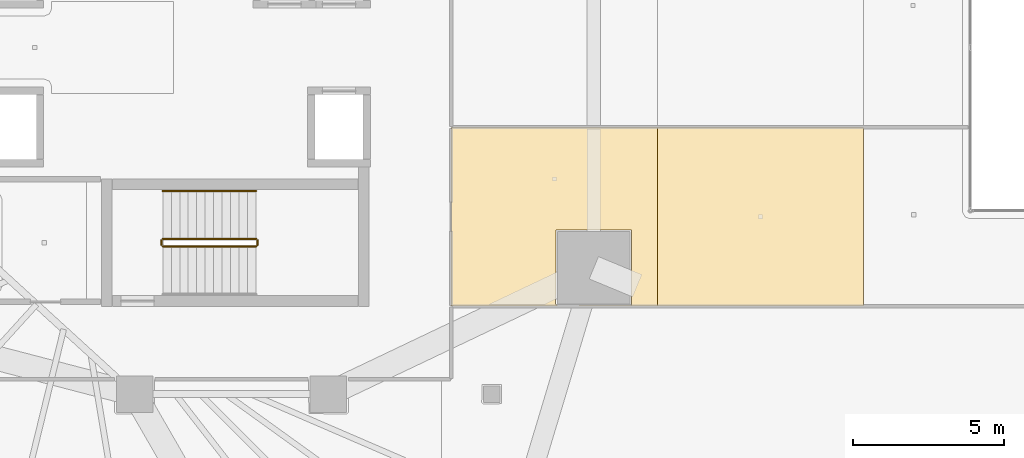
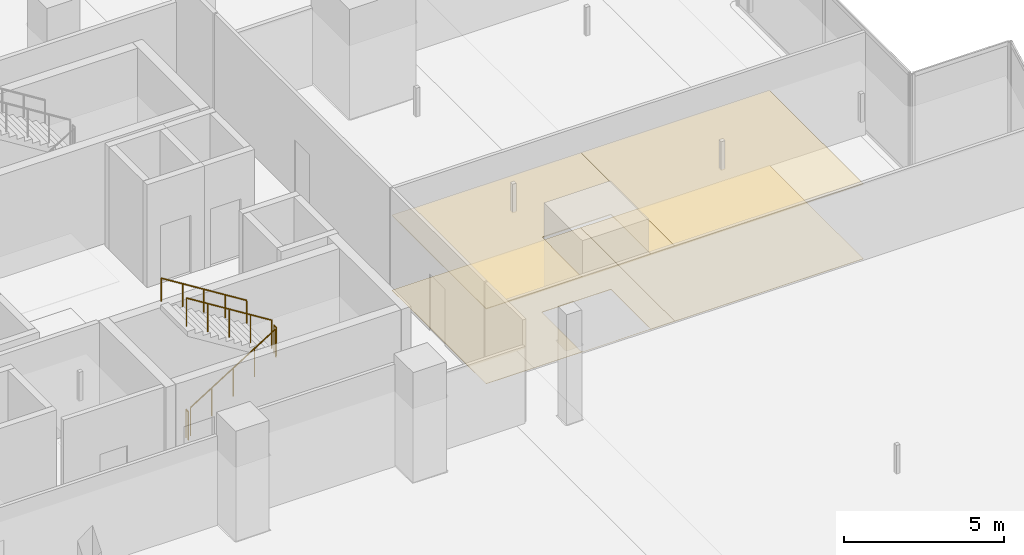
# One storey, part 37 of 42: 5 railings, 4 coverings.
"""IFC4 building model written with IfcOpenShell, lengths in metres."""

from ifc_helpers import new_model, si_unit, direction, frame, origin, origin_2d, place, context, subcontext, project, spatial, polyline, circle, outline, extrude, material, layer, layer_set, type_object, element, save


model = new_model("IFC4")

# Units and contexts
model_context = context("Model", 3, precision=1e-05, world=origin(), true_north=direction((0.0, 1.0)))
body_context = subcontext(model_context, "Body", "Model", "MODEL_VIEW")
ifc_project = project(units=[si_unit("LENGTHUNIT", "METRE"), si_unit("AREAUNIT", "SQUARE_METRE"), si_unit("VOLUMEUNIT", "CUBIC_METRE"), si_unit("PLANEANGLEUNIT", "RADIAN"), si_unit("MASSUNIT", "GRAM", prefix="KILO")], contexts=[model_context])

# Site, building, storey
site_placement = place(None, origin())
site = spatial("IfcSite", under=ifc_project, at=site_placement, CompositionType="ELEMENT")
building_placement = place(site_placement, origin())
building = spatial("IfcBuilding", under=site, at=building_placement, Name="Qorvath Tower", CompositionType="ELEMENT")
storey_placement = place(building_placement, frame((0.0, 0.0, 32.39990234375)))
storey = spatial("IfcBuildingStorey", under=building, at=storey_placement, Name="L06", CompositionType="ELEMENT", Elevation=32.39990234375)

# Coverings
ifc_material_1 = material(Name="Acoustic mineral fibre ceiling tile", Category="gypsum")
ifc_layer_1 = layer(ifc_material_1, 0.030029296875)
ifc_layer_set_1 = layer_set([ifc_layer_1], Name="COV-CEIL")
covering_type_1 = type_object("IfcCoveringType", Name="COV-CEIL", PredefinedType="CEILING", material=ifc_layer_set_1)
covering_1_placement = place(storey_placement, frame((0.0, 0.0, 2.85009765625)))
element("IfcCovering", 1, at=covering_1_placement, inside=storey, type_object=covering_type_1, Name="L06 Suspended Acoustic Ceiling 019", PredefinedType="CEILING", context=body_context, shape_type="SweptSolid", body=[
    extrude(outline(polyline([(-6.329833984375, -8.537109375), (-6.329833984375, -2.64794921875), (-13.136962890625, -2.64794921875), (-13.136962890625, -8.537109375), (-6.329833984375, -8.537109375)]), holes=[polyline([(-9.690185546875, -8.476318359375), (-9.672607421875, -6.033935546875), (-7.18798828125, -6.033935546875), (-7.18798828125, -8.518798828125), (-9.63037109375, -8.536376953125), (-9.690185546875, -8.476318359375)])]), origin(), (0.0, 0.0, 1.0), 0.030029296875),
])
covering_2_placement = place(storey_placement, frame((0.0, 0.0, 2.85009765625)))
element("IfcCovering", 2, at=covering_2_placement, inside=storey, type_object=covering_type_1, Name="L06 Suspended Acoustic Ceiling 020", PredefinedType="CEILING", context=body_context, shape_type="SweptSolid", body=[
    extrude(outline(polyline([(0.477294921875, -8.537109375), (0.477294921875, -2.64794921875), (-6.329833984375, -2.64794921875), (-6.329833984375, -8.537109375), (0.477294921875, -8.537109375)])), origin(), (0.0, 0.0, 1.0), 0.030029296875),
])
ifc_material_2 = material(Name="Low-VOC modular carpet tile", Category="textile")
ifc_layer_2 = layer(ifc_material_2, 0.014892578125)
ifc_layer_set_2 = layer_set([ifc_layer_2], Name="COV-FLOOR-CPT")
covering_type_2 = type_object("IfcCoveringType", Name="COV-FLOOR-CPT", PredefinedType="FLOORING", material=ifc_layer_set_2)
covering_3_placement = place(storey_placement, origin())
element("IfcCovering", 3, at=covering_3_placement, inside=storey, type_object=covering_type_2, Name="L06 Floor Finish 019", PredefinedType="FLOORING", context=body_context, shape_type="SweptSolid", body=[
    extrude(outline(polyline([(-6.329833984375, -8.537109375), (-6.329833984375, -2.64794921875), (-13.136962890625, -2.64794921875), (-13.136962890625, -8.537109375), (-6.329833984375, -8.537109375)]), holes=[polyline([(-9.690185546875, -8.476318359375), (-9.672607421875, -6.033935546875), (-7.18798828125, -6.033935546875), (-7.18798828125, -8.518798828125), (-9.63037109375, -8.536376953125), (-9.690185546875, -8.476318359375)])]), origin(), (0.0, 0.0, 1.0), 0.01513671875),
])
covering_4_placement = place(storey_placement, origin())
element("IfcCovering", 4, at=covering_4_placement, inside=storey, type_object=covering_type_2, Name="L06 Floor Finish 020", PredefinedType="FLOORING", context=body_context, shape_type="SweptSolid", body=[
    extrude(outline(polyline([(0.477294921875, -8.537109375), (0.477294921875, -2.64794921875), (-6.329833984375, -2.64794921875), (-6.329833984375, -8.537109375), (0.477294921875, -8.537109375)])), origin(), (0.0, 0.0, 1.0), 0.01513671875),
])

# Railings
ifc_material_3 = material(Name="Painted galvanised steel", Category="steel")
railing_type_1 = type_object("IfcRailingType", Name="RL-STR-GRD", PredefinedType="GUARDRAIL", material=ifc_material_3)
railing_1_placement = place(storey_placement, frame((-22.669921875, -6.570068359375, 0.175048828125)))
element("IfcRailing", 5, at=railing_1_placement, inside=storey, type_object=railing_type_1, Name="L06 TS2 stair guard 1", PredefinedType="GUARDRAIL", context=body_context, shape_type="SweptSolid", body=[
    extrude(circle(Radius=0.02392578125, at=origin_2d()), frame((0.0, 0.0, 1.076171875), z_axis=(0.847979421464, 0.0, 0.530029150871), x_axis=(0.0, 1.0, 0.0)), (0.0, 0.0, 1.0), 3.632080078125),
    extrude(circle(Radius=0.02099609375, at=origin_2d()), origin(), (0.0, 0.0, 1.0), 1.052001953125),
    extrude(circle(Radius=0.02099609375, at=origin_2d()), frame((0.77001953125, 0.0, 0.481201171875)), (0.0, 0.0, 1.0), 1.052001953125),
    extrude(circle(Radius=0.02099609375, at=origin_2d()), frame((1.5400390625, 0.0, 0.96240234375)), (0.0, 0.0, 1.0), 1.052001953125),
    extrude(circle(Radius=0.02099609375, at=origin_2d()), frame((2.309814453125, 0.0, 1.44384765625)), (0.0, 0.0, 1.0), 1.052001953125),
    extrude(circle(Radius=0.02099609375, at=origin_2d()), frame((3.079833984375, 0.0, 1.925048828125)), (0.0, 0.0, 1.0), 1.052001953125),
])
railing_2_placement = place(storey_placement, frame((-19.5400390625, -6.52001953125, 2.10009765625)))
element("IfcRailing", 6, at=railing_2_placement, inside=storey, type_object=railing_type_1, Name="L06 TS2 stair guard 2", PredefinedType="GUARDRAIL", context=body_context, shape_type="SweptSolid", body=[
    extrude(circle(Radius=0.02392578125, at=origin_2d()), frame((0.0, 0.0, 1.076171875), z_axis=(0.0, 1.0, 0.0), x_axis=(-1.0, 0.0, 0.0)), (0.0, 0.0, 1.0), 0.14990234375),
    extrude(circle(Radius=0.02099609375, at=origin_2d()), origin(), (0.0, 0.0, 1.0), 1.052001953125),
    extrude(circle(Radius=0.02099609375, at=origin_2d()), frame((0.0, 0.14990234375, 0.0)), (0.0, 0.0, 1.0), 1.052001953125),
])
railing_3_placement = place(storey_placement, frame((-19.590087890625, -6.320068359375, 2.275146484375)))
element("IfcRailing", 7, at=railing_3_placement, inside=storey, type_object=railing_type_1, Name="L06 TS2 stair guard 3", PredefinedType="GUARDRAIL", context=body_context, shape_type="SweptSolid", body=[
    extrude(circle(Radius=0.02392578125, at=origin_2d()), frame((0.0, 0.0, 1.076171875), z_axis=(-0.847979421464, 0.0, 0.530029150871), x_axis=(0.0, -1.0, 0.0)), (0.0, 0.0, 1.0), 3.632080078125),
    extrude(circle(Radius=0.02099609375, at=origin_2d()), origin(), (0.0, 0.0, 1.0), 1.052001953125),
    extrude(circle(Radius=0.02099609375, at=origin_2d()), frame((-0.77001953125, 0.0, 0.481201171875)), (0.0, 0.0, 1.0), 1.052001953125),
    extrude(circle(Radius=0.02099609375, at=origin_2d()), frame((-1.5400390625, 0.0, 0.96240234375)), (0.0, 0.0, 1.0), 1.052001953125),
    extrude(circle(Radius=0.02099609375, at=origin_2d()), frame((-2.309814453125, 0.0, 1.44384765625)), (0.0, 0.0, 1.0), 1.052001953125),
    extrude(circle(Radius=0.02099609375, at=origin_2d()), frame((-3.079833984375, 0.0, 1.925048828125)), (0.0, 0.0, 1.0), 1.052001953125),
])
railing_4_placement = place(storey_placement, frame((-22.719970703125, -6.52001953125, 0.0)))
element("IfcRailing", 8, at=railing_4_placement, inside=storey, type_object=railing_type_1, Name="L06 TS2 stair guard 4", PredefinedType="GUARDRAIL", context=body_context, shape_type="SweptSolid", body=[
    extrude(circle(Radius=0.02392578125, at=origin_2d()), frame((0.0, 0.0, 1.076171875), z_axis=(0.0, 1.0, 0.0), x_axis=(-1.0, 0.0, 0.0)), (0.0, 0.0, 1.0), 0.14990234375),
    extrude(circle(Radius=0.02099609375, at=origin_2d()), origin(), (0.0, 0.0, 1.0), 1.052001953125),
    extrude(circle(Radius=0.02099609375, at=origin_2d()), frame((0.0, 0.14990234375, 0.0)), (0.0, 0.0, 1.0), 1.052001953125),
])
ifc_material_4 = material(Name="Brushed stainless steel AISI 304", Category="steel")
railing_type_2 = type_object("IfcRailingType", Name="RL-STR-HND", PredefinedType="HANDRAIL", material=ifc_material_4)
railing_5_placement = place(storey_placement, frame((-19.590087890625, -4.739990234375, 2.275146484375)))
element("IfcRailing", 9, at=railing_5_placement, inside=storey, type_object=railing_type_2, Name="L06 TS2 stair handrail 2", PredefinedType="HANDRAIL", context=body_context, shape_type="SweptSolid", body=[
    extrude(circle(Radius=0.02392578125, at=origin_2d()), frame((0.0, 0.0, 0.8759765625), z_axis=(-0.847979421464, 0.0, 0.530029150871), x_axis=(0.0, -1.0, 0.0)), (0.0, 0.0, 1.0), 3.632080078125),
    extrude(circle(Radius=0.02099609375, at=origin_2d()), origin(), (0.0, 0.0, 1.0), 0.851806640625),
    extrude(circle(Radius=0.02099609375, at=origin_2d()), frame((-0.77001953125, 0.0, 0.481201171875)), (0.0, 0.0, 1.0), 0.851806640625),
    extrude(circle(Radius=0.02099609375, at=origin_2d()), frame((-1.5400390625, 0.0, 0.96240234375)), (0.0, 0.0, 1.0), 0.851806640625),
    extrude(circle(Radius=0.02099609375, at=origin_2d()), frame((-2.309814453125, 0.0, 1.44384765625)), (0.0, 0.0, 1.0), 0.851806640625),
    extrude(circle(Radius=0.02099609375, at=origin_2d()), frame((-3.079833984375, 0.0, 1.925048828125)), (0.0, 0.0, 1.0), 0.851806640625),
])

save(model, "model.ifc")
